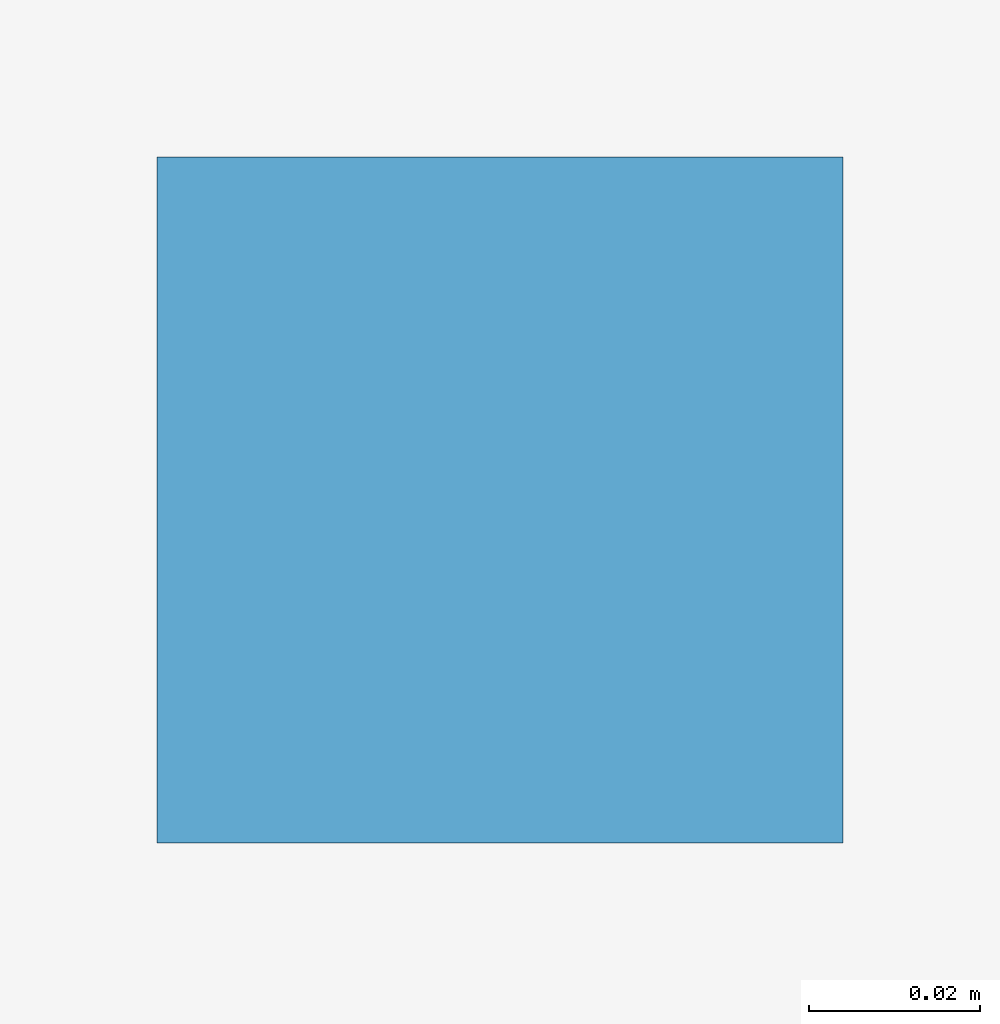
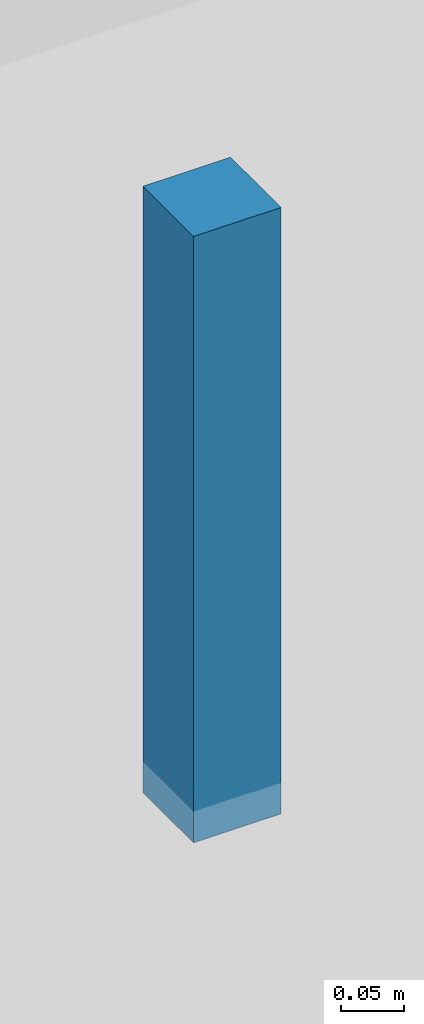
# One storey, part 12 of 16: 1 discrete accessory.
"""IFC4 building model written with IfcOpenShell, lengths in metres."""

from ifc_helpers import new_model, si_unit, direction, frame, origin, origin_2d, place, context, subcontext, project, spatial, rectangle, extrude, source, transform, mapped, material, type_object, element, save


model = new_model("IFC4")

# Units and contexts
model_context = context("Model", 3, precision=1e-05, world=origin(), true_north=direction((0.0, 1.0)))
body_context = subcontext(model_context, "Body", "Model", "MODEL_VIEW")
ifc_project = project(units=[si_unit("LENGTHUNIT", "METRE"), si_unit("AREAUNIT", "SQUARE_METRE"), si_unit("VOLUMEUNIT", "CUBIC_METRE"), si_unit("PLANEANGLEUNIT", "RADIAN"), si_unit("MASSUNIT", "GRAM", prefix="KILO")], contexts=[model_context])

# Site, building, storey
site_placement = place(None, origin())
site = spatial("IfcSite", under=ifc_project, at=site_placement, CompositionType="ELEMENT")
building_placement = place(site_placement, origin())
building = spatial("IfcBuilding", under=site, at=building_placement, Name="Giltprow Tower", CompositionType="ELEMENT")
storey_placement = place(building_placement, frame((0.0, 0.0, 255.300048828125)))
storey = spatial("IfcBuildingStorey", under=building, at=storey_placement, Name="L65", CompositionType="ELEMENT", Elevation=255.300048828125)

# Discrete accessory
ifc_material = material(Name="Structural steel Q355B", Category="steel")
discrete_accessory_type = type_object("IfcDiscreteAccessoryType", Name="ACC-CLG-HANGER", PredefinedType="BRACKET", material=ifc_material)
shared_shape = source(origin(), body_context, "Body", "SweptSolid", [
    extrude(rectangle(XDim=0.080078125, YDim=0.080078125, at=origin_2d()), origin(), (0.0, 0.0, 1.0), 0.5849609375),
])
discrete_accessory_placement = place(storey_placement, frame((35.0, 36.02490234375, 2.619384765625), z_axis=(0.0, 0.0, 1.0), x_axis=(1.0, 0.0, 0.0)))
element("IfcDiscreteAccessory", 1, at=discrete_accessory_placement, inside=storey, type_object=discrete_accessory_type, Name="L65 Residence Gallery Ceiling Suspension Hanger", PredefinedType="BRACKET", context=body_context, shape_type="MappedRepresentation", body=[
    mapped(shared_shape, transform((0.0, 0.0, 0.0), x_axis=(1.0, 0.0, 0.0), y_axis=(0.0, 1.0, 0.0), z_axis=(0.0, 0.0, 1.0), scale=1.0)),
])

save(model, "model.ifc")
